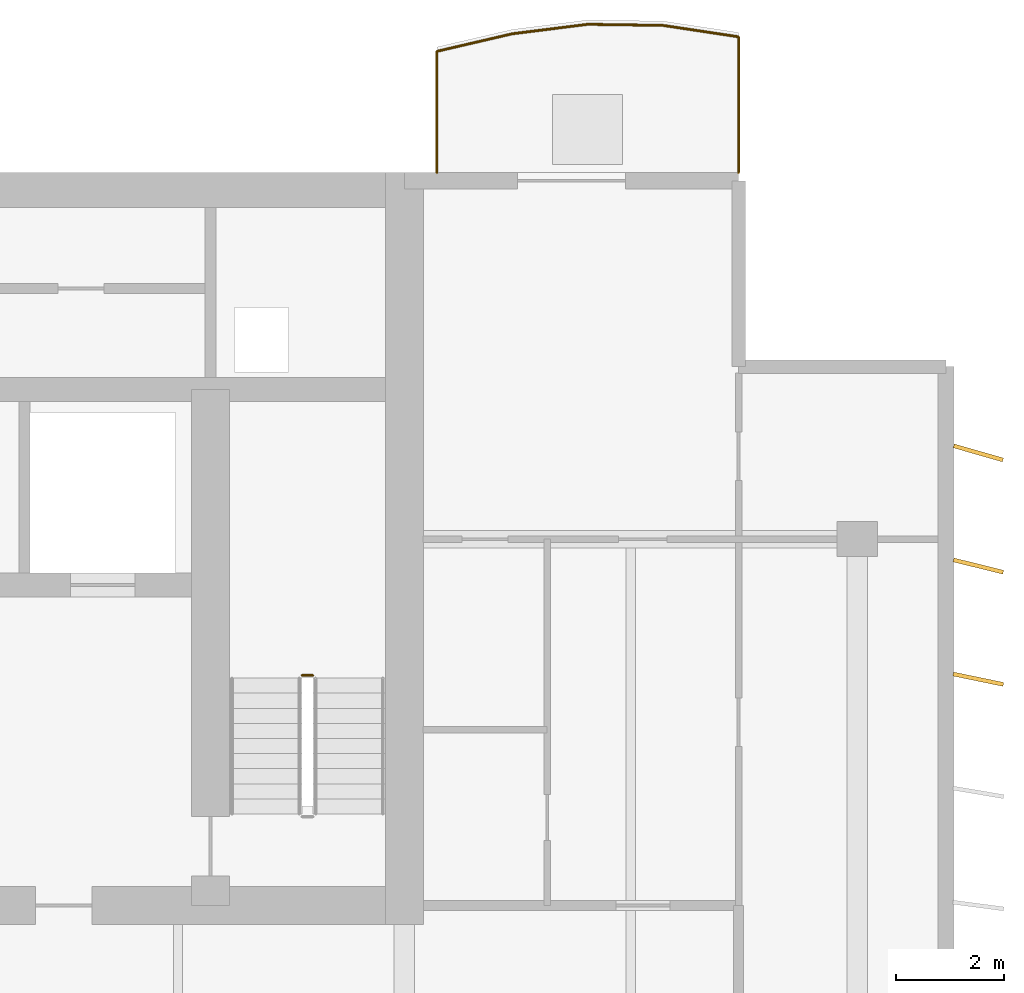
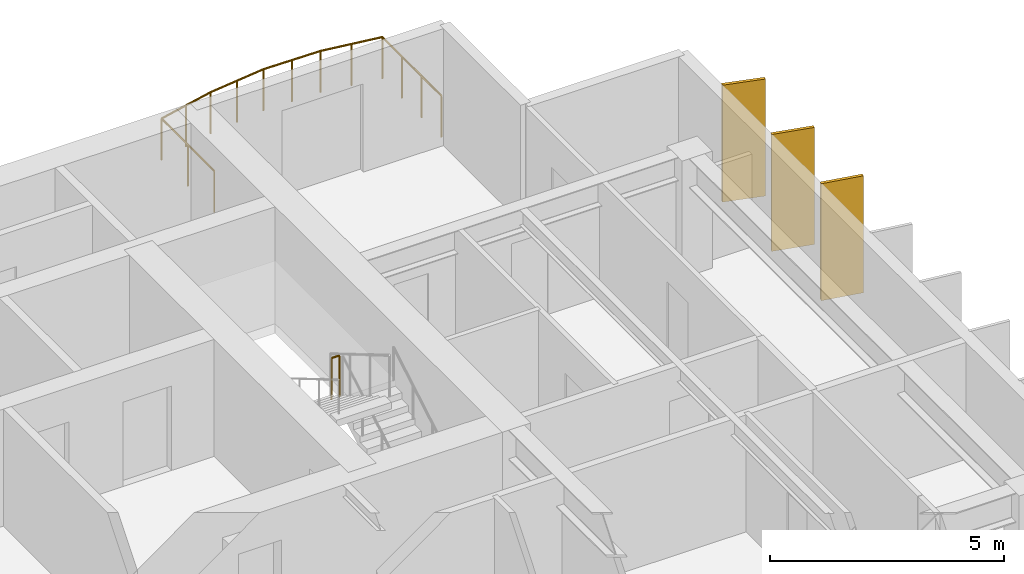
# One storey, part 16 of 16: 3 shading devices, 2 railings.
"""IFC4 building model written with IfcOpenShell, lengths in metres."""

from ifc_helpers import new_model, si_unit, direction, frame, origin, origin_2d, place, context, subcontext, project, spatial, rectangle, circle, extrude, material, material_profile, profile_set, type_object, element, save


model = new_model("IFC4")

# Units and contexts
model_context = context("Model", 3, precision=1e-05, world=origin(), true_north=direction((0.0, 1.0)))
body_context = subcontext(model_context, "Body", "Model", "MODEL_VIEW")
ifc_project = project(units=[si_unit("LENGTHUNIT", "METRE"), si_unit("AREAUNIT", "SQUARE_METRE"), si_unit("VOLUMEUNIT", "CUBIC_METRE"), si_unit("PLANEANGLEUNIT", "RADIAN"), si_unit("MASSUNIT", "GRAM", prefix="KILO")], contexts=[model_context])

# Site, building, storey
site_placement = place(None, origin())
site = spatial("IfcSite", under=ifc_project, at=site_placement, CompositionType="ELEMENT")
building_placement = place(site_placement, origin())
building = spatial("IfcBuilding", under=site, at=building_placement, Name="Caelmar Bay Residences", CompositionType="ELEMENT")
storey_placement = place(building_placement, frame((0.0, 0.0, 252.89990234375)))
storey = spatial("IfcBuildingStorey", under=building, at=storey_placement, Name="L71", CompositionType="ELEMENT", Elevation=252.89990234375)

# Railings
ifc_material_1 = material(Name="Anodised bronze handrail with laminated hurricane glass infill", Category="glass")
railing_type_1 = type_object("IfcRailingType", Name="RL-BAL-1100", PredefinedType="BALUSTRADE", material=ifc_material_1)
railing_1_placement = place(storey_placement, frame((65.699951171875, 50.60009765625, 0.0)))
element("IfcRailing", 1, at=railing_1_placement, inside=storey, type_object=railing_type_1, Name="L71 north_east Balcony Balustrade", PredefinedType="BALUSTRADE", context=body_context, shape_type="SweptSolid", body=[
    extrude(circle(Radius=0.02392578125, at=origin_2d()), frame((0.0, 0.0, 1.076171875), z_axis=(0.0, 1.0, 0.0), x_axis=(-1.0, 0.0, 0.0)), (0.0, 0.0, 1.0), 2.521728515625),
    extrude(circle(Radius=0.02392578125, at=origin_2d()), frame((0.0, 2.521728515625, 1.076171875), z_axis=(-0.988786598686, 0.149335401894, 0.0), x_axis=(-0.149335401894, -0.988786598686, 0.0)), (0.0, 0.0, 1.0), 1.415771484375),
    extrude(circle(Radius=0.02392578125, at=origin_2d()), frame((-1.39990234375, 2.733154296875, 1.076171875), z_axis=(-0.999895289284, 0.014471021623, 0.0), x_axis=(-0.014471021623, -0.999895289284, 0.0)), (0.0, 0.0, 1.0), 1.400390625),
    extrude(circle(Radius=0.02392578125, at=origin_2d()), frame((-2.800048828125, 2.75341796875, 1.076171875), z_axis=(-0.992187101504, -0.124758789708, 0.0), x_axis=(0.124758789708, -0.992187101504, 0.0)), (0.0, 0.0, 1.0), 1.410888671875),
    extrude(circle(Radius=0.02392578125, at=origin_2d()), frame((-4.199951171875, 2.577392578125, 1.076171875), z_axis=(-0.973988849796, -0.226595940989, 0.0), x_axis=(0.226595940989, -0.973988849796, 0.0)), (0.0, 0.0, 1.0), 1.437255859375),
    extrude(circle(Radius=0.02392578125, at=origin_2d()), frame((-5.599853515625, 2.251708984375, 1.076171875), z_axis=(0.0, -1.0, 0.0), x_axis=(1.0, 0.0, 0.0)), (0.0, 0.0, 1.0), 2.251708984375),
    extrude(circle(Radius=0.02099609375, at=origin_2d()), origin(), (0.0, 0.0, 1.0), 1.052001953125),
    extrude(circle(Radius=0.02099609375, at=origin_2d()), frame((0.0, 0.840576171875, 0.0)), (0.0, 0.0, 1.0), 1.052001953125),
    extrude(circle(Radius=0.02099609375, at=origin_2d()), frame((0.0, 1.68115234375, 0.0)), (0.0, 0.0, 1.0), 1.052001953125),
    extrude(circle(Radius=0.02099609375, at=origin_2d()), frame((0.0, 2.521728515625, 0.0)), (0.0, 0.0, 1.0), 1.052001953125),
    extrude(circle(Radius=0.02099609375, at=origin_2d()), frame((-0.699951171875, 2.62744140625, 0.0)), (0.0, 0.0, 1.0), 1.052001953125),
    extrude(circle(Radius=0.02099609375, at=origin_2d()), frame((-1.39990234375, 2.733154296875, 0.0)), (0.0, 0.0, 1.0), 1.052001953125),
    extrude(circle(Radius=0.02099609375, at=origin_2d()), frame((-2.10009765625, 2.7431640625, 0.0)), (0.0, 0.0, 1.0), 1.052001953125),
    extrude(circle(Radius=0.02099609375, at=origin_2d()), frame((-2.800048828125, 2.75341796875, 0.0)), (0.0, 0.0, 1.0), 1.052001953125),
    extrude(circle(Radius=0.02099609375, at=origin_2d()), frame((-3.5, 2.66552734375, 0.0)), (0.0, 0.0, 1.0), 1.052001953125),
    extrude(circle(Radius=0.02099609375, at=origin_2d()), frame((-4.199951171875, 2.577392578125, 0.0)), (0.0, 0.0, 1.0), 1.052001953125),
    extrude(circle(Radius=0.02099609375, at=origin_2d()), frame((-4.89990234375, 2.41455078125, 0.0)), (0.0, 0.0, 1.0), 1.052001953125),
    extrude(circle(Radius=0.02099609375, at=origin_2d()), frame((-5.599853515625, 2.251708984375, 0.0)), (0.0, 0.0, 1.0), 1.052001953125),
    extrude(circle(Radius=0.02099609375, at=origin_2d()), frame((-5.599853515625, 1.1259765625, 0.0)), (0.0, 0.0, 1.0), 1.052001953125),
    extrude(circle(Radius=0.02099609375, at=origin_2d()), frame((-5.599853515625, 0.0, 0.0)), (0.0, 0.0, 1.0), 1.052001953125),
])
ifc_material_2 = material(Name="Painted galvanized steel stair guard 1100 mm", Category="steel")
railing_type_2 = type_object("IfcRailingType", Name="RL-GRD-1100", PredefinedType="GUARDRAIL", material=ifc_material_2)
railing_2_placement = place(storey_placement, frame((57.800048828125, 41.27001953125, 1.650146484375)))
element("IfcRailing", 2, at=railing_2_placement, inside=storey, type_object=railing_type_2, Name="L71 ST2 stair guard 2", PredefinedType="GUARDRAIL", context=body_context, shape_type="SweptSolid", body=[
    extrude(circle(Radius=0.02392578125, at=origin_2d()), frame((0.0, 0.0, 1.076171875), z_axis=(-1.0, 0.0, 0.0), x_axis=(0.0, -1.0, 0.0)), (0.0, 0.0, 1.0), 0.199951171875),
    extrude(circle(Radius=0.02099609375, at=origin_2d()), origin(), (0.0, 0.0, 1.0), 1.052001953125),
    extrude(circle(Radius=0.02099609375, at=origin_2d()), frame((-0.199951171875, 0.0, 0.0)), (0.0, 0.0, 1.0), 1.052001953125),
])

# Shading devices
ifc_material_3 = material(Name="Anodised architectural bronze aluminium 6063-T6", Category="aluminium")
ifc_material_profile = material_profile(ifc_material_3, rectangle(XDim=0.074951171875, YDim=0.949951171875, at=origin_2d()), Name="BRONZE-FIN-75X950")
ifc_profile_set = profile_set([ifc_material_profile], Name="Anodised architectural bronze aluminium 6063-T6")
shading_device_type = type_object("IfcShadingDeviceType", Name="SHD-FIN-950", PredefinedType="USERDEFINED", material=ifc_profile_set)
for number, where, z_axis, x_axis, name in (
    (3, (70.14990234375, 41.199951171875, 0.0), (0.0, 0.0, 1.0), (0.2032999874, 0.979116497217, 0.0), "L71 East Bronze Solar Fin 14"),
    (4, (70.14990234375, 43.300048828125, 0.0), (0.0, 0.0, 1.0), (0.239719743609, 0.970842131618, 0.0), "L71 East Bronze Solar Fin 15"),
    (5, (70.14990234375, 45.39990234375, 0.0), (0.0, 0.0, 1.0), (0.275637355817, 0.961261695938, 0.0), "L71 East Bronze Solar Fin 16"),
):
    element("IfcShadingDevice", number, at=place(storey_placement, frame(where, z_axis=z_axis, x_axis=x_axis)), inside=storey, type_object=shading_device_type, Name=name, ObjectType="FIN", PredefinedType="USERDEFINED", context=body_context, shape_type="SweptSolid", body=[
        extrude(rectangle(XDim=0.074951171875, YDim=0.949951171875, at=origin_2d()), origin(), (0.0, 0.0, 1.0), 3.050048828125),
    ])

save(model, "model.ifc")
